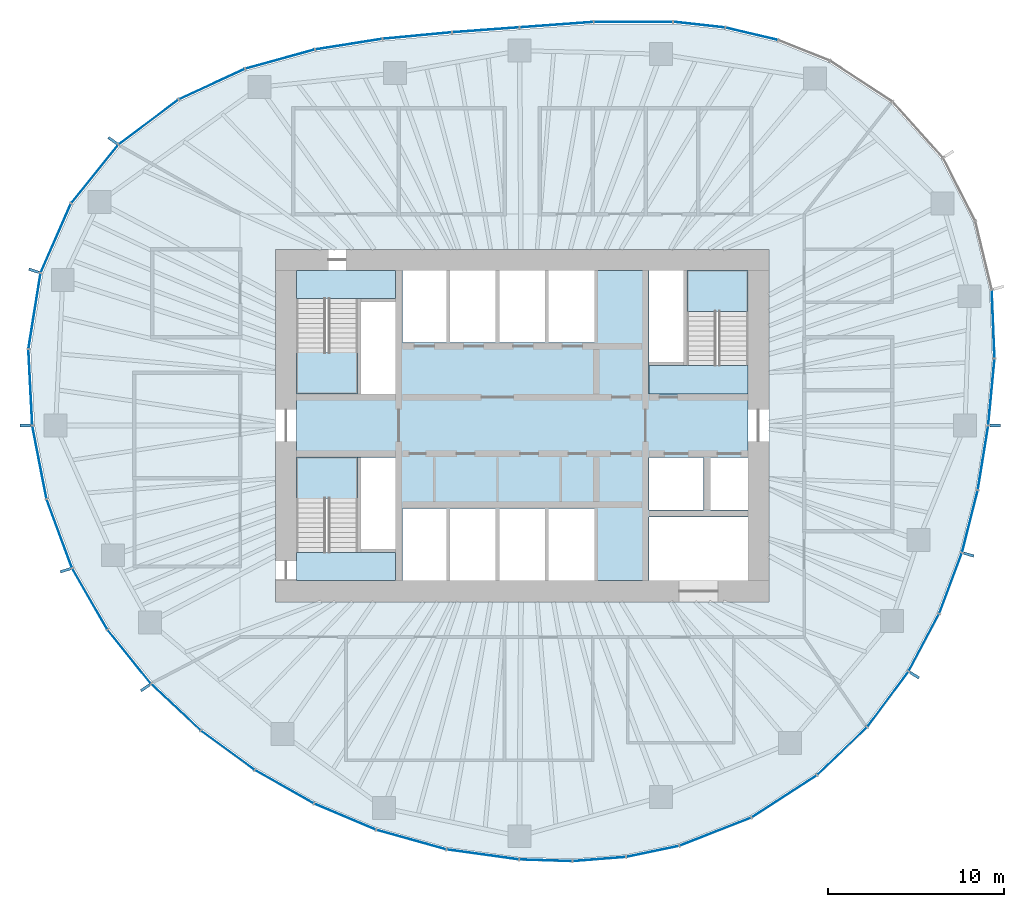
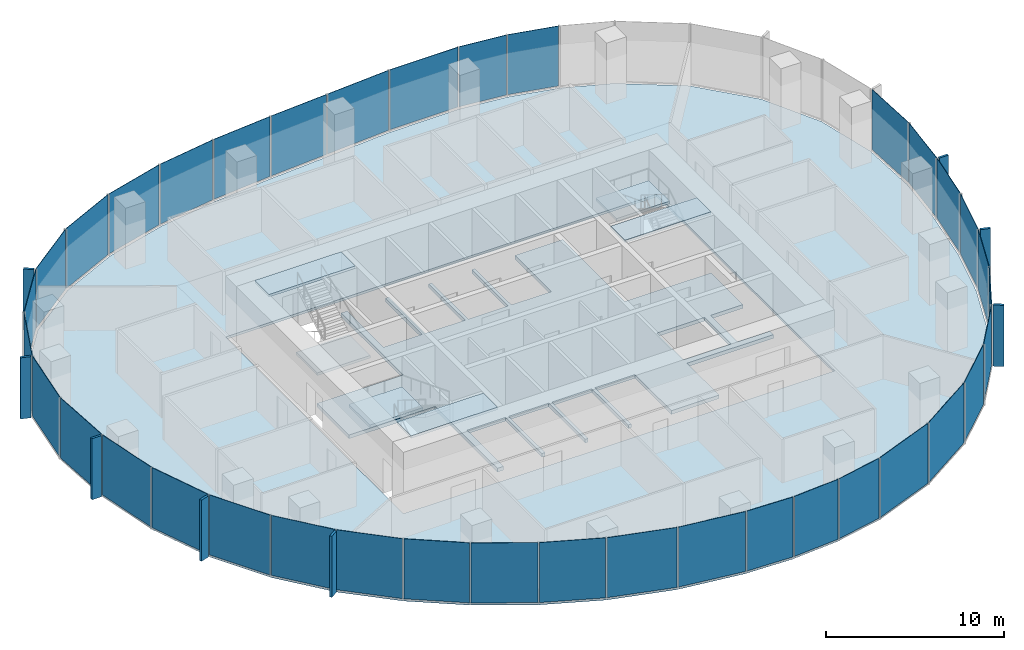
# One storey, part 7 of 11: 45 plates, 8 slabs, 21 elements without a shape of their own.
"""IFC4 building model written with IfcOpenShell, lengths in metres."""

from ifc_helpers import new_model, si_unit, direction, frame, origin, origin_2d, place, context, subcontext, project, spatial, polyline, rectangle, outline, extrude, material, layer, layer_set, type_object, element, aggregate, save


model = new_model("IFC4")

# Units and contexts
model_context = context("Model", 3, precision=1e-05, world=origin(), true_north=direction((0.0, 1.0)))
body_context = subcontext(model_context, "Body", "Model", "MODEL_VIEW")
ifc_project = project(units=[si_unit("LENGTHUNIT", "METRE"), si_unit("AREAUNIT", "SQUARE_METRE"), si_unit("VOLUMEUNIT", "CUBIC_METRE"), si_unit("PLANEANGLEUNIT", "RADIAN"), si_unit("MASSUNIT", "GRAM", prefix="KILO")], contexts=[model_context])

# Site, building, storey
site_placement = place(None, origin())
site = spatial("IfcSite", under=ifc_project, at=site_placement, CompositionType="ELEMENT")
building_placement = place(site_placement, origin())
building = spatial("IfcBuilding", under=site, at=building_placement, Name="Ghaith Harvest Tower", CompositionType="ELEMENT")
storey_placement = place(building_placement, frame((0.0, 0.0, 220.0)))
storey = spatial("IfcBuildingStorey", under=building, at=storey_placement, Name="L48", CompositionType="ELEMENT", Elevation=220.0)

# Curtain wall, plates
ifc_material_1 = material(Name="Black anodised aluminium and fritted glass", Category="aluminium")
curtain_wall_type = type_object("IfcCurtainWallType", Name="CW-H CURTAIN WALL", PredefinedType="NOTDEFINED", material=ifc_material_1)
curtain_wall_1_placement = place(storey_placement, origin())
curtain_wall_1 = element("IfcCurtainWall", 1, at=curtain_wall_1_placement, inside=storey, type_object=curtain_wall_type, Name="Curtain wall CW-H bay 01 L48", PredefinedType="NOTDEFINED")
ifc_material_2 = material(Name="Glass, dark solar-control fritted double glazed unit", Category="glass")
ifc_layer_1 = layer(ifc_material_2, 0.030029296875)
ifc_layer_set_1 = layer_set([ifc_layer_1], Name="CW-H VISION PANEL")
plate_type_1 = type_object("IfcPlateType", Name="CW-H VISION PANEL", PredefinedType="CURTAIN_PANEL", material=ifc_layer_set_1)
plate_1_placement = place(storey_placement, frame((26.624755859375, 1.89794921875, 0.079833984375), z_axis=(0.0, 0.0, 1.0), x_axis=(0.094301909937, 0.995543645343, 0.0)))
plate_1 = element("IfcPlate", 2, at=plate_1_placement, type_object=plate_type_1, Name="CW-H glass unit 1 bay 01 L48", PredefinedType="CURTAIN_PANEL", context=body_context, shape_type="SweptSolid", body=[
    extrude(rectangle(XDim=3.73291015625, YDim=0.030029296875, at=origin_2d()), origin(), (0.0, 0.0, 1.0), 4.1201171875),
])
plate_2_placement = place(storey_placement, frame((26.7255859375, 5.74853515625, 0.079833984375), z_axis=(0.0, 0.0, 1.0), x_axis=(-0.040462173218, 0.999181070947, 0.0)))
plate_2 = element("IfcPlate", 3, at=plate_2_placement, type_object=plate_type_1, Name="CW-H glass unit 2 bay 01 L48", PredefinedType="CURTAIN_PANEL", context=body_context, shape_type="SweptSolid", body=[
    extrude(rectangle(XDim=3.82861328125, YDim=0.030029296875, at=origin_2d()), origin(), (0.0, 0.0, 1.0), 4.1201171875),
])
aggregate(curtain_wall_1, [plate_1, plate_2])

curtain_wall_2_placement = place(storey_placement, origin())
curtain_wall_2 = element("IfcCurtainWall", 4, at=curtain_wall_2_placement, inside=storey, type_object=curtain_wall_type, Name="Curtain wall CW-H bay 04 L48", PredefinedType="NOTDEFINED")
plate_3_placement = place(storey_placement, frame((13.027099609375, 22.225341796875, 0.079833984375), z_axis=(0.0, 0.0, 1.0), x_axis=(-0.973266235028, 0.229679854916, 0.0)))
plate_3 = element("IfcPlate", 5, at=plate_3_placement, type_object=plate_type_1, Name="CW-H glass unit 2 bay 04 L48", PredefinedType="CURTAIN_PANEL", context=body_context, shape_type="SweptSolid", body=[
    extrude(rectangle(XDim=3.00244140625, YDim=0.030029296875, at=origin_2d()), origin(), (0.0, 0.0, 1.0), 4.1201171875),
])
plate_4_placement = place(storey_placement, frame((10.045654296875, 22.744384765625, 0.079833984375), z_axis=(0.0, 0.0, 1.0), x_axis=(-0.993865217442, 0.11059805405, 0.0)))
plate_4 = element("IfcPlate", 6, at=plate_4_placement, type_object=plate_type_1, Name="CW-H glass unit 3 bay 04 L48", PredefinedType="CURTAIN_PANEL", context=body_context, shape_type="SweptSolid", body=[
    extrude(rectangle(XDim=2.901123046875, YDim=0.030029296875, at=origin_2d()), origin(), (0.0, 0.0, 1.0), 4.1201171875),
])
aggregate(curtain_wall_2, [plate_3, plate_4])

curtain_wall_3_placement = place(storey_placement, origin())
curtain_wall_3 = element("IfcCurtainWall", 7, at=curtain_wall_3_placement, inside=storey, type_object=curtain_wall_type, Name="Curtain wall CW-H bay 05 L48", PredefinedType="NOTDEFINED")
plate_5_placement = place(storey_placement, frame((6.31201171875, 22.904296875, 0.079833984375), z_axis=(0.0, 0.0, 1.0), x_axis=(-0.999997643645, -0.002170876291, 0.0)))
plate_5 = element("IfcPlate", 8, at=plate_5_placement, type_object=plate_type_1, Name="CW-H glass unit 1 bay 05 L48", PredefinedType="CURTAIN_PANEL", context=body_context, shape_type="SweptSolid", body=[
    extrude(rectangle(XDim=4.4248046875, YDim=0.030029296875, at=origin_2d()), origin(), (0.0, 0.0, 1.0), 4.1201171875),
])
plate_6_placement = place(storey_placement, frame((1.952392578125, 22.744873046875, 0.079833984375), z_axis=(0.0, 0.0, 1.0), x_axis=(-0.997324570719, -0.073100619976, 0.0)))
plate_6 = element("IfcPlate", 9, at=plate_6_placement, type_object=plate_type_1, Name="CW-H glass unit 2 bay 05 L48", PredefinedType="CURTAIN_PANEL", context=body_context, shape_type="SweptSolid", body=[
    extrude(rectangle(XDim=4.1455078125, YDim=0.030029296875, at=origin_2d()), origin(), (0.0, 0.0, 1.0), 4.1201171875),
])
aggregate(curtain_wall_3, [plate_5, plate_6])

curtain_wall_4_placement = place(storey_placement, origin())
curtain_wall_4 = element("IfcCurtainWall", 10, at=curtain_wall_4_placement, inside=storey, type_object=curtain_wall_type, Name="Curtain wall CW-H bay 06 L48", PredefinedType="NOTDEFINED")
plate_7_placement = place(storey_placement, frame((-2.0693359375, 22.450439453125, 0.079833984375), z_axis=(0.0, 0.0, 1.0), x_axis=(-0.997334393671, -0.072966479985, 0.0)))
plate_7 = element("IfcPlate", 11, at=plate_7_placement, type_object=plate_type_1, Name="CW-H glass unit 1 bay 06 L48", PredefinedType="CURTAIN_PANEL", context=body_context, shape_type="SweptSolid", body=[
    extrude(rectangle(XDim=3.759765625, YDim=0.030029296875, at=origin_2d()), origin(), (0.0, 0.0, 1.0), 4.1201171875),
])
plate_8_placement = place(storey_placement, frame((-5.954345703125, 22.12548828125, 0.079833984375), z_axis=(0.0, 0.0, 1.0), x_axis=(-0.995631991968, -0.093364535934, 0.0)))
plate_8 = element("IfcPlate", 12, at=plate_8_placement, type_object=plate_type_1, Name="CW-H glass unit 2 bay 06 L48", PredefinedType="CURTAIN_PANEL", context=body_context, shape_type="SweptSolid", body=[
    extrude(rectangle(XDim=3.87744140625, YDim=0.030029296875, at=origin_2d()), origin(), (0.0, 0.0, 1.0), 4.1201171875),
])
aggregate(curtain_wall_4, [plate_7, plate_8])

curtain_wall_5_placement = place(storey_placement, origin())
curtain_wall_5 = element("IfcCurtainWall", 13, at=curtain_wall_5_placement, inside=storey, type_object=curtain_wall_type, Name="Curtain wall CW-H bay 07 L48", PredefinedType="NOTDEFINED")
plate_9_placement = place(storey_placement, frame((-9.83837890625, 21.638671875, 0.079833984375), z_axis=(0.0, 0.0, 1.0), x_axis=(-0.98777033338, -0.155915901993, 0.0)))
plate_9 = element("IfcPlate", 14, at=plate_9_placement, type_object=plate_type_1, Name="CW-H glass unit 1 bay 07 L48", PredefinedType="CURTAIN_PANEL", context=body_context, shape_type="SweptSolid", body=[
    extrude(rectangle(XDim=3.795166015625, YDim=0.030029296875, at=origin_2d()), origin(), (0.0, 0.0, 1.0), 4.1201171875),
])
plate_10_placement = place(storey_placement, frame((-13.736572265625, 20.78955078125, 0.079833984375), z_axis=(0.0, 0.0, 1.0), x_axis=(-0.964034113875, -0.26577853052, 0.0)))
plate_10 = element("IfcPlate", 15, at=plate_10_placement, type_object=plate_type_1, Name="CW-H glass unit 2 bay 07 L48", PredefinedType="CURTAIN_PANEL", context=body_context, shape_type="SweptSolid", body=[
    extrude(rectangle(XDim=4.03662109375, YDim=0.030029296875, at=origin_2d()), origin(), (0.0, 0.0, 1.0), 4.1201171875),
])
aggregate(curtain_wall_5, [plate_9, plate_10])

curtain_wall_6_placement = place(storey_placement, origin())
curtain_wall_6 = element("IfcCurtainWall", 16, at=curtain_wall_6_placement, inside=storey, type_object=curtain_wall_type, Name="Curtain wall CW-H bay 08 L48", PredefinedType="NOTDEFINED")
plate_11_placement = place(storey_placement, frame((-17.608154296875, 19.370849609375, 0.079833984375), z_axis=(0.0, 0.0, 1.0), x_axis=(-0.907814470414, -0.419372015408, 0.0)))
plate_11 = element("IfcPlate", 17, at=plate_11_placement, type_object=plate_type_1, Name="CW-H glass unit 1 bay 08 L48", PredefinedType="CURTAIN_PANEL", context=body_context, shape_type="SweptSolid", body=[
    extrude(rectangle(XDim=4.077392578125, YDim=0.030029296875, at=origin_2d()), origin(), (0.0, 0.0, 1.0), 4.1201171875),
])
plate_12_placement = place(storey_placement, frame((-21.20166015625, 17.219482421875, 0.079833984375), z_axis=(0.0, 0.0, 1.0), x_axis=(-0.800067053187, -0.599910585341, 0.0)))
plate_12 = element("IfcPlate", 18, at=plate_12_placement, type_object=plate_type_1, Name="CW-H glass unit 2 bay 08 L48", PredefinedType="CURTAIN_PANEL", context=body_context, shape_type="SweptSolid", body=[
    extrude(rectangle(XDim=4.18603515625, YDim=0.030029296875, at=origin_2d()), origin(), (0.0, 0.0, 1.0), 4.1201171875),
])
aggregate(curtain_wall_6, [plate_11, plate_12])

curtain_wall_7_placement = place(storey_placement, origin())
curtain_wall_7 = element("IfcCurtainWall", 19, at=curtain_wall_7_placement, inside=storey, type_object=curtain_wall_type, Name="Curtain wall CW-H bay 09 L48", PredefinedType="NOTDEFINED")
plate_13_placement = place(storey_placement, frame((-24.25390625, 14.270263671875, 0.079833984375), z_axis=(0.0, 0.0, 1.0), x_axis=(-0.627547637499, -0.778578167347, 0.0)))
plate_13 = element("IfcPlate", 20, at=plate_13_placement, type_object=plate_type_1, Name="CW-H glass unit 1 bay 09 L48", PredefinedType="CURTAIN_PANEL", context=body_context, shape_type="SweptSolid", body=[
    extrude(rectangle(XDim=4.208740234375, YDim=0.030029296875, at=origin_2d()), origin(), (0.0, 0.0, 1.0), 4.1201171875),
])
plate_14_placement = place(storey_placement, frame((-26.462646484375, 10.63037109375, 0.079833984375), z_axis=(0.0, 0.0, 1.0), x_axis=(-0.40121291108, -0.915984825192, 0.0)))
plate_14 = element("IfcPlate", 21, at=plate_14_placement, type_object=plate_type_1, Name="CW-H glass unit 2 bay 09 L48", PredefinedType="CURTAIN_PANEL", context=body_context, shape_type="SweptSolid", body=[
    extrude(rectangle(XDim=4.22216796875, YDim=0.030029296875, at=origin_2d()), origin(), (0.0, 0.0, 1.0), 4.1201171875),
])
aggregate(curtain_wall_7, [plate_13, plate_14])

curtain_wall_8_placement = place(storey_placement, origin())
curtain_wall_8 = element("IfcCurtainWall", 22, at=curtain_wall_8_placement, inside=storey, type_object=curtain_wall_type, Name="Curtain wall CW-H bay 10 L48", PredefinedType="NOTDEFINED")
plate_15_placement = place(storey_placement, frame((-27.670654296875, 6.49658203125, 0.079833984375), z_axis=(0.0, 0.0, 1.0), x_axis=(-0.157514341695, -0.987516699687, 0.0)))
plate_15 = element("IfcPlate", 23, at=plate_15_placement, type_object=plate_type_1, Name="CW-H glass unit 1 bay 10 L48", PredefinedType="CURTAIN_PANEL", context=body_context, shape_type="SweptSolid", body=[
    extrude(rectangle(XDim=4.301513671875, YDim=0.030029296875, at=origin_2d()), origin(), (0.0, 0.0, 1.0), 4.1201171875),
])
plate_16_placement = place(storey_placement, frame((-27.905517578125, 2.16650390625, 0.079833984375), z_axis=(0.0, 0.0, 1.0), x_axis=(0.050894857592, -0.998704016949, 0.0)))
plate_16 = element("IfcPlate", 24, at=plate_16_placement, type_object=plate_type_1, Name="CW-H glass unit 2 bay 10 L48", PredefinedType="CURTAIN_PANEL", context=body_context, shape_type="SweptSolid", body=[
    extrude(rectangle(XDim=4.2587890625, YDim=0.030029296875, at=origin_2d()), origin(), (0.0, 0.0, 1.0), 4.1201171875),
])
aggregate(curtain_wall_8, [plate_15, plate_16])

curtain_wall_9_placement = place(storey_placement, origin())
curtain_wall_9 = element("IfcCurtainWall", 25, at=curtain_wall_9_placement, inside=storey, type_object=curtain_wall_type, Name="Curtain wall CW-H bay 11 L48", PredefinedType="NOTDEFINED")
plate_17_placement = place(storey_placement, frame((-27.39013671875, -2.0869140625, 0.079833984375), z_axis=(0.0, 0.0, 1.0), x_axis=(0.190426809322, -0.981701395686, 0.0)))
plate_17 = element("IfcPlate", 26, at=plate_17_placement, type_object=plate_type_1, Name="CW-H glass unit 1 bay 11 L48", PredefinedType="CURTAIN_PANEL", context=body_context, shape_type="SweptSolid", body=[
    extrude(rectangle(XDim=4.171630859375, YDim=0.030029296875, at=origin_2d()), origin(), (0.0, 0.0, 1.0), 4.1201171875),
])
plate_18_placement = place(storey_placement, frame((-26.261962890625, -6.1337890625, 0.079833984375), z_axis=(0.0, 0.0, 1.0), x_axis=(0.346303431688, -0.938122557666, 0.0)))
plate_18 = element("IfcPlate", 27, at=plate_18_placement, type_object=plate_type_1, Name="CW-H glass unit 2 bay 11 L48", PredefinedType="CURTAIN_PANEL", context=body_context, shape_type="SweptSolid", body=[
    extrude(rectangle(XDim=4.098388671875, YDim=0.030029296875, at=origin_2d()), origin(), (0.0, 0.0, 1.0), 4.1201171875),
])
aggregate(curtain_wall_9, [plate_17, plate_18])

curtain_wall_10_placement = place(storey_placement, origin())
curtain_wall_10 = element("IfcCurtainWall", 28, at=curtain_wall_10_placement, inside=storey, type_object=curtain_wall_type, Name="Curtain wall CW-H bay 12 L48", PredefinedType="NOTDEFINED")
plate_19_placement = place(storey_placement, frame((-24.535888671875, -9.838623046875, 0.079833984375), z_axis=(0.0, 0.0, 1.0), x_axis=(0.49818018945, -0.867073525625, 0.0)))
plate_19 = element("IfcPlate", 29, at=plate_19_placement, type_object=plate_type_1, Name="CW-H glass unit 1 bay 12 L48", PredefinedType="CURTAIN_PANEL", context=body_context, shape_type="SweptSolid", body=[
    extrude(rectangle(XDim=3.945068359375, YDim=0.030029296875, at=origin_2d()), origin(), (0.0, 0.0, 1.0), 4.1201171875),
])
plate_20_placement = place(storey_placement, frame((-22.29736328125, -13.119140625, 0.079833984375), z_axis=(0.0, 0.0, 1.0), x_axis=(0.626957061695, -0.779053812513, 0.0)))
plate_20 = element("IfcPlate", 30, at=plate_20_placement, type_object=plate_type_1, Name="CW-H glass unit 2 bay 12 L48", PredefinedType="CURTAIN_PANEL", context=body_context, shape_type="SweptSolid", body=[
    extrude(rectangle(XDim=3.8623046875, YDim=0.030029296875, at=origin_2d()), origin(), (0.0, 0.0, 1.0), 4.1201171875),
])
aggregate(curtain_wall_10, [plate_19, plate_20])

curtain_wall_11_placement = place(storey_placement, origin())
curtain_wall_11 = element("IfcCurtainWall", 31, at=curtain_wall_11_placement, inside=storey, type_object=curtain_wall_type, Name="Curtain wall CW-H bay 13 L48", PredefinedType="NOTDEFINED")
plate_21_placement = place(storey_placement, frame((-19.649658203125, -15.98046875, 0.079833984375), z_axis=(0.0, 0.0, 1.0), x_axis=(0.729016864325, -0.684495735217, 0.0)))
plate_21 = element("IfcPlate", 32, at=plate_21_placement, type_object=plate_type_1, Name="CW-H glass unit 1 bay 13 L48", PredefinedType="CURTAIN_PANEL", context=body_context, shape_type="SweptSolid", body=[
    extrude(rectangle(XDim=3.793212890625, YDim=0.030029296875, at=origin_2d()), origin(), (0.0, 0.0, 1.0), 4.1201171875),
])
plate_22_placement = place(storey_placement, frame((-16.707763671875, -18.42431640625, 0.079833984375), z_axis=(0.0, 0.0, 1.0), x_axis=(0.80736351134, -0.590054370848, 0.0)))
plate_22 = element("IfcPlate", 33, at=plate_22_placement, type_object=plate_type_1, Name="CW-H glass unit 2 bay 13 L48", PredefinedType="CURTAIN_PANEL", context=body_context, shape_type="SweptSolid", body=[
    extrude(rectangle(XDim=3.710693359375, YDim=0.030029296875, at=origin_2d()), origin(), (0.0, 0.0, 1.0), 4.1201171875),
])
aggregate(curtain_wall_11, [plate_21, plate_22])

curtain_wall_12_placement = place(storey_placement, origin())
curtain_wall_12 = element("IfcCurtainWall", 34, at=curtain_wall_12_placement, inside=storey, type_object=curtain_wall_type, Name="Curtain wall CW-H bay 14 L48", PredefinedType="NOTDEFINED")
plate_23_placement = place(storey_placement, frame((-13.496337890625, -20.496826171875, 0.079833984375), z_axis=(0.0, 0.0, 1.0), x_axis=(0.869715300233, -0.493553742303, 0.0)))
plate_23 = element("IfcPlate", 35, at=plate_23_placement, type_object=plate_type_1, Name="CW-H glass unit 1 bay 14 L48", PredefinedType="CURTAIN_PANEL", context=body_context, shape_type="SweptSolid", body=[
    extrude(rectangle(XDim=3.785888671875, YDim=0.030029296875, at=origin_2d()), origin(), (0.0, 0.0, 1.0), 4.1201171875),
])
plate_24_placement = place(storey_placement, frame((-10.050537109375, -22.1962890625, 0.079833984375), z_axis=(0.0, 0.0, 1.0), x_axis=(0.921181516072, -0.389133157734, 0.0)))
plate_24 = element("IfcPlate", 36, at=plate_24_placement, type_object=plate_type_1, Name="CW-H glass unit 2 bay 14 L48", PredefinedType="CURTAIN_PANEL", context=body_context, shape_type="SweptSolid", body=[
    extrude(rectangle(XDim=3.751220703125, YDim=0.030029296875, at=origin_2d()), origin(), (0.0, 0.0, 1.0), 4.1201171875),
])
aggregate(curtain_wall_12, [plate_23, plate_24])

curtain_wall_13_placement = place(storey_placement, origin())
curtain_wall_13 = element("IfcCurtainWall", 37, at=curtain_wall_13_placement, inside=storey, type_object=curtain_wall_type, Name="Curtain wall CW-H bay 15 L48", PredefinedType="NOTDEFINED")
plate_25_placement = place(storey_placement, frame((-6.291015625, -23.49853515625, 0.079833984375), z_axis=(0.0, 0.0, 1.0), x_axis=(0.963162861349, -0.268918765647, 0.0)))
plate_25 = element("IfcPlate", 38, at=plate_25_placement, type_object=plate_type_1, Name="CW-H glass unit 1 bay 15 L48", PredefinedType="CURTAIN_PANEL", context=body_context, shape_type="SweptSolid", body=[
    extrude(rectangle(XDim=4.062744140625, YDim=0.030029296875, at=origin_2d()), origin(), (0.0, 0.0, 1.0), 4.1201171875),
])
plate_26_placement = place(storey_placement, frame((-2.232177734375, -24.34033203125, 0.079833984375), z_axis=(0.0, 0.0, 1.0), x_axis=(0.990612268407, -0.136701622823, 0.0)))
plate_26 = element("IfcPlate", 39, at=plate_26_placement, type_object=plate_type_1, Name="CW-H glass unit 2 bay 15 L48", PredefinedType="CURTAIN_PANEL", context=body_context, shape_type="SweptSolid", body=[
    extrude(rectangle(XDim=4.08642578125, YDim=0.030029296875, at=origin_2d()), origin(), (0.0, 0.0, 1.0), 4.1201171875),
])
aggregate(curtain_wall_13, [plate_25, plate_26])

curtain_wall_14_placement = place(storey_placement, origin())
curtain_wall_14 = element("IfcCurtainWall", 40, at=curtain_wall_14_placement, inside=storey, type_object=curtain_wall_type, Name="Curtain wall CW-H bay 16 L48", PredefinedType="NOTDEFINED")
plate_27_placement = place(storey_placement, frame((1.339599609375, -24.67333984375, 0.079833984375), z_axis=(0.0, 0.0, 1.0), x_axis=(0.99949125523, -0.031894054587, 0.0)))
plate_27 = element("IfcPlate", 41, at=plate_27_placement, type_object=plate_type_1, Name="CW-H glass unit 1 bay 16 L48", PredefinedType="CURTAIN_PANEL", context=body_context, shape_type="SweptSolid", body=[
    extrude(rectangle(XDim=2.937744140625, YDim=0.030029296875, at=origin_2d()), origin(), (0.0, 0.0, 1.0), 4.1201171875),
])
plate_28_placement = place(storey_placement, frame((4.37060546875, -24.60205078125, 0.079833984375), z_axis=(0.0, 0.0, 1.0), x_axis=(0.996945418782, 0.078101421048, 0.0)))
plate_28 = element("IfcPlate", 42, at=plate_28_placement, type_object=plate_type_1, Name="CW-H glass unit 2 bay 16 L48", PredefinedType="CURTAIN_PANEL", context=body_context, shape_type="SweptSolid", body=[
    extrude(rectangle(XDim=2.974853515625, YDim=0.030029296875, at=origin_2d()), origin(), (0.0, 0.0, 1.0), 4.1201171875),
])
plate_29_placement = place(storey_placement, frame((7.40478515625, -24.16650390625, 0.079833984375), z_axis=(0.0, 0.0, 1.0), x_axis=(0.978788872874, 0.204871526422, 0.0)))
plate_29 = element("IfcPlate", 43, at=plate_29_placement, type_object=plate_type_1, Name="CW-H glass unit 3 bay 16 L48", PredefinedType="CURTAIN_PANEL", context=body_context, shape_type="SweptSolid", body=[
    extrude(rectangle(XDim=3.00830078125, YDim=0.030029296875, at=origin_2d()), origin(), (0.0, 0.0, 1.0), 4.1201171875),
])
aggregate(curtain_wall_14, [plate_27, plate_28, plate_29])

curtain_wall_15_placement = place(storey_placement, origin())
curtain_wall_15 = element("IfcCurtainWall", 44, at=curtain_wall_15_placement, inside=storey, type_object=curtain_wall_type, Name="Curtain wall CW-H bay 17 L48", PredefinedType="NOTDEFINED")
plate_30_placement = place(storey_placement, frame((10.963134765625, -23.048583984375, 0.079833984375), z_axis=(0.0, 0.0, 1.0), x_axis=(0.931161161765, 0.364607858966, 0.0)))
plate_30 = element("IfcPlate", 45, at=plate_30_placement, type_object=plate_type_1, Name="CW-H glass unit 1 bay 17 L48", PredefinedType="CURTAIN_PANEL", context=body_context, shape_type="SweptSolid", body=[
    extrude(rectangle(XDim=4.316650390625, YDim=0.030029296875, at=origin_2d()), origin(), (0.0, 0.0, 1.0), 4.1201171875),
])
plate_31_placement = place(storey_placement, frame((14.869384765625, -21.042724609375, 0.079833984375), z_axis=(0.0, 0.0, 1.0), x_axis=(0.839305300126, 0.543660384045, 0.0)))
plate_31 = element("IfcPlate", 46, at=plate_31_placement, type_object=plate_type_1, Name="CW-H glass unit 2 bay 17 L48", PredefinedType="CURTAIN_PANEL", context=body_context, shape_type="SweptSolid", body=[
    extrude(rectangle(XDim=4.35107421875, YDim=0.030029296875, at=origin_2d()), origin(), (0.0, 0.0, 1.0), 4.1201171875),
])
aggregate(curtain_wall_15, [plate_30, plate_31])

curtain_wall_16_placement = place(storey_placement, origin())
curtain_wall_16 = element("IfcCurtainWall", 47, at=curtain_wall_16_placement, inside=storey, type_object=curtain_wall_type, Name="Curtain wall CW-H bay 18 L48", PredefinedType="NOTDEFINED")
plate_32_placement = place(storey_placement, frame((18.151611328125, -18.47705078125, 0.079833984375), z_axis=(0.0, 0.0, 1.0), x_axis=(0.722532585058, 0.691336866896, 0.0)))
plate_32 = element("IfcPlate", 48, at=plate_32_placement, type_object=plate_type_1, Name="CW-H glass unit 1 bay 18 L48", PredefinedType="CURTAIN_PANEL", context=body_context, shape_type="SweptSolid", body=[
    extrude(rectangle(XDim=3.85791015625, YDim=0.030029296875, at=origin_2d()), origin(), (0.0, 0.0, 1.0), 4.1201171875),
])
plate_33_placement = place(storey_placement, frame((20.74853515625, -15.53369140625, 0.079833984375), z_axis=(0.0, 0.0, 1.0), x_axis=(0.596018639888, 0.802970597784, 0.0)))
plate_33 = element("IfcPlate", 49, at=plate_33_placement, type_object=plate_type_1, Name="CW-H glass unit 2 bay 18 L48", PredefinedType="CURTAIN_PANEL", context=body_context, shape_type="SweptSolid", body=[
    extrude(rectangle(XDim=3.8603515625, YDim=0.030029296875, at=origin_2d()), origin(), (0.0, 0.0, 1.0), 4.1201171875),
])
aggregate(curtain_wall_16, [plate_32, plate_33])

curtain_wall_17_placement = place(storey_placement, origin())
curtain_wall_17 = element("IfcCurtainWall", 50, at=curtain_wall_17_placement, inside=storey, type_object=curtain_wall_type, Name="Curtain wall CW-H bay 19 L48", PredefinedType="NOTDEFINED")
plate_34_placement = place(storey_placement, frame((22.79052734375, -12.316162109375, 0.079833984375), z_axis=(0.0, 0.0, 1.0), x_axis=(0.46864379564, 0.883387226989, 0.0)))
plate_34 = element("IfcPlate", 51, at=plate_34_placement, type_object=plate_type_1, Name="CW-H glass unit 1 bay 19 L48", PredefinedType="CURTAIN_PANEL", context=body_context, shape_type="SweptSolid", body=[
    extrude(rectangle(XDim=3.623291015625, YDim=0.030029296875, at=origin_2d()), origin(), (0.0, 0.0, 1.0), 4.1201171875),
])
plate_35_placement = place(storey_placement, frame((24.30712890625, -8.946533203125, 0.079833984375), z_axis=(0.0, 0.0, 1.0), x_axis=(0.350480749824, 0.936569935457, 0.0)))
plate_35 = element("IfcPlate", 52, at=plate_35_placement, type_object=plate_type_1, Name="CW-H glass unit 2 bay 19 L48", PredefinedType="CURTAIN_PANEL", context=body_context, shape_type="SweptSolid", body=[
    extrude(rectangle(XDim=3.62255859375, YDim=0.030029296875, at=origin_2d()), origin(), (0.0, 0.0, 1.0), 4.1201171875),
])
aggregate(curtain_wall_17, [plate_34, plate_35])

curtain_wall_18_placement = place(storey_placement, origin())
curtain_wall_18 = element("IfcCurtainWall", 53, at=curtain_wall_18_placement, inside=storey, type_object=curtain_wall_type, Name="Curtain wall CW-H bay 20 L48", PredefinedType="NOTDEFINED")
plate_36_placement = place(storey_placement, frame((25.404541015625, -5.43701171875, 0.079833984375), z_axis=(0.0, 0.0, 1.0), x_axis=(0.244925945134, 0.969541789404, 0.0)))
plate_36 = element("IfcPlate", 54, at=plate_36_placement, type_object=plate_type_1, Name="CW-H glass unit 1 bay 20 L48", PredefinedType="CURTAIN_PANEL", context=body_context, shape_type="SweptSolid", body=[
    extrude(rectangle(XDim=3.583251953125, YDim=0.030029296875, at=origin_2d()), origin(), (0.0, 0.0, 1.0), 4.1201171875),
])
plate_37_placement = place(storey_placement, frame((26.14892578125, -1.83056640625, 0.079833984375), z_axis=(0.0, 0.0, 1.0), x_axis=(0.159600748097, 0.987181645497, 0.0)))
plate_37 = element("IfcPlate", 55, at=plate_37_placement, type_object=plate_type_1, Name="CW-H glass unit 2 bay 20 L48", PredefinedType="CURTAIN_PANEL", context=body_context, shape_type="SweptSolid", body=[
    extrude(rectangle(XDim=3.628662109375, YDim=0.030029296875, at=origin_2d()), origin(), (0.0, 0.0, 1.0), 4.1201171875),
])
aggregate(curtain_wall_18, [plate_36, plate_37])

# Slabs
ifc_material_3 = material(Name="Concrete C40/50", Category="concrete")
ifc_layer_2 = layer(ifc_material_3, 0.169921875)
ifc_layer_set_2 = layer_set([ifc_layer_2], Name="FLOOR SLAB 170")
slab_type_1 = type_object("IfcSlabType", Name="FLOOR SLAB 170", PredefinedType="FLOOR", material=ifc_layer_set_2)
slab_1_placement = place(storey_placement, frame((0.0, 0.0, -0.169921875)))
element("IfcSlab", 56, at=slab_1_placement, inside=storey, type_object=slab_type_1, Name="Floor slab L48", PredefinedType="FLOOR", context=body_context, shape_type="SweptSolid", body=[
    extrude(outline(polyline([(26.324951171875, 0.0), (26.685791015625, 3.779052734375), (26.531005859375, 7.668212890625), (25.597900390625, 11.55615234375), (23.77294921875, 15.12939453125), (20.923095703125, 18.295166015625), (17.382080078125, 20.612548828125), (14.460693359375, 21.771484375), (11.47265625, 22.47265625), (8.522216796875, 22.796875), (4.03857421875, 22.78125), (-0.15380859375, 22.470458984375), (-3.963134765625, 22.192138671875), (-7.8837890625, 21.827880859375), (-11.694580078125, 21.2314453125), (-15.6474609375, 20.147705078125), (-19.408203125, 18.41650390625), (-22.809814453125, 15.87109375), (-25.491943359375, 12.547607421875), (-27.211181640625, 8.623779296875), (-27.897216796875, 4.314697265625), (-27.675048828125, 0.0), (-26.86669921875, -4.155517578125), (-25.424072265625, -8.057373046875), (-23.425537109375, -11.530517578125), (-20.963134765625, -14.586181640625), (-18.15087890625, -17.223388671875), (-15.10400390625, -19.447998046875), (-11.75732421875, -21.345703125), (-8.2451171875, -22.82861328125), (-4.27490234375, -23.9375), (-0.167724609375, -24.505126953125), (2.833984375, -24.602294921875), (5.865234375, -24.3662109375), (8.8740234375, -23.73779296875), (12.949462890625, -22.1435546875), (16.651611328125, -19.746337890625), (19.48388671875, -17.036865234375), (21.821533203125, -13.887451171875), (23.548828125, -10.631103515625), (24.840576171875, -7.179443359375), (25.734375, -3.644287109375), (26.324951171875, 0.0)]), holes=[polyline([(-14.0, -10.0), (14.0, -10.0), (14.0, 10.0), (-14.0, 10.0), (-14.0, -10.0)])]), origin(), (0.0, 0.0, 1.0), 0.169921875),
])
ifc_material_4 = material(Name="Concrete C40/50", Category="concrete")
ifc_layer_3 = layer(ifc_material_4, 0.25)
ifc_layer_set_3 = layer_set([ifc_layer_3], Name="FLOOR SLAB 250")
slab_type_2 = type_object("IfcSlabType", Name="FLOOR SLAB 250", PredefinedType="FLOOR", material=ifc_layer_set_3)
slab_2_placement = place(storey_placement, frame((0.0, 0.0, -0.25)))
element("IfcSlab", 57, at=slab_2_placement, inside=storey, type_object=slab_type_2, Name="Core slab L48", PredefinedType="FLOOR", context=body_context, shape_type="SweptSolid", body=[
    extrude(outline(polyline([(-12.800048828125, 1.800048828125), (-7.199951171875, 1.800048828125), (-7.199951171875, 8.800048828125), (-6.800048828125, 8.800048828125), (-6.800048828125, 4.699951171875), (-4.300048828125, 4.699951171875), (-4.300048828125, 8.800048828125), (-4.10009765625, 8.800048828125), (-4.10009765625, 4.699951171875), (-1.5, 4.699951171875), (-1.5, 8.800048828125), (-1.300048828125, 8.800048828125), (-1.300048828125, 4.699951171875), (1.300048828125, 4.699951171875), (1.300048828125, 8.800048828125), (1.5, 8.800048828125), (1.5, 4.699951171875), (4.10009765625, 4.699951171875), (4.10009765625, 8.800048828125), (7.199951171875, 8.800048828125), (7.199951171875, 1.800048828125), (12.800048828125, 1.800048828125), (12.800048828125, -1.800048828125), (10.699951171875, -1.800048828125), (10.699951171875, -4.800048828125), (12.800048828125, -4.800048828125), (12.800048828125, -5.199951171875), (7.199951171875, -5.199951171875), (7.199951171875, -8.800048828125), (4.10009765625, -8.800048828125), (4.10009765625, -4.699951171875), (1.5, -4.699951171875), (1.5, -8.800048828125), (1.300048828125, -8.800048828125), (1.300048828125, -4.699951171875), (-1.300048828125, -4.699951171875), (-1.300048828125, -8.800048828125), (-1.5, -8.800048828125), (-1.5, -4.699951171875), (-4.10009765625, -4.699951171875), (-4.10009765625, -8.800048828125), (-4.300048828125, -8.800048828125), (-4.300048828125, -4.699951171875), (-6.800048828125, -4.699951171875), (-6.800048828125, -8.800048828125), (-7.199951171875, -8.800048828125), (-7.199951171875, -1.800048828125), (-12.800048828125, -1.800048828125), (-12.800048828125, 1.800048828125)]), holes=[polyline([(10.300048828125, -4.800048828125), (10.300048828125, -1.800048828125), (7.199951171875, -1.800048828125), (7.199951171875, -4.800048828125), (10.300048828125, -4.800048828125)])]), origin(), (0.0, 0.0, 1.0), 0.25),
])

# Stair, slabs
ifc_material_5 = material(Name="Concrete C40/50, precast", Category="concrete")
stair_type = type_object("IfcStairType", Name="CORE STAIR 24R", PredefinedType="HALF_TURN_STAIR", material=ifc_material_5)
stair_1_placement = place(storey_placement, origin())
stair_1 = element("IfcStair", 58, at=stair_1_placement, inside=storey, type_object=stair_type, Name="Stair ST1 L48", PredefinedType="HALF_TURN_STAIR")
ifc_material_6 = material(Name="Concrete C40/50, precast", Category="concrete")
ifc_layer_4 = layer(ifc_material_6, 0.179931640625)
ifc_layer_set_4 = layer_set([ifc_layer_4], Name="STAIR LANDING 180")
slab_type_3 = type_object("IfcSlabType", Name="STAIR LANDING 180", PredefinedType="LANDING", material=ifc_layer_set_4)
slab_3_placement = place(storey_placement, frame((0.0, 0.0, 1.919921875)))
slab_3 = element("IfcSlab", 59, at=slab_3_placement, type_object=slab_type_3, Name="ST1 landing 1", PredefinedType="LANDING", context=body_context, shape_type="SweptSolid", body=[
    extrude(outline(polyline([(-12.800048828125, 4.139892578125), (-12.800048828125, 1.77490234375), (-9.35009765625, 1.77490234375), (-9.35009765625, 4.139892578125), (-12.800048828125, 4.139892578125)])), origin(), (0.0, 0.0, 1.0), 0.18017578125),
])
slab_4_placement = place(storey_placement, frame((0.0, 0.0, 4.02001953125)))
slab_4 = element("IfcSlab", 60, at=slab_4_placement, type_object=slab_type_3, Name="ST1 landing 2", PredefinedType="LANDING", context=body_context, shape_type="SweptSolid", body=[
    extrude(outline(polyline([(-12.800048828125, 8.800048828125), (-12.800048828125, 7.199951171875), (-7.199951171875, 7.199951171875), (-7.199951171875, 8.800048828125), (-12.800048828125, 8.800048828125)])), origin(), (0.0, 0.0, 1.0), 0.179931640625),
])
aggregate(stair_1, [slab_3, slab_4])

stair_2_placement = place(storey_placement, origin())
stair_2 = element("IfcStair", 61, at=stair_2_placement, inside=storey, type_object=stair_type, Name="Stair ST3 L48", PredefinedType="HALF_TURN_STAIR")
slab_5_placement = place(storey_placement, frame((0.0, 0.0, 1.919921875)))
slab_5 = element("IfcSlab", 62, at=slab_5_placement, type_object=slab_type_3, Name="ST3 landing 1", PredefinedType="LANDING", context=body_context, shape_type="SweptSolid", body=[
    extrude(outline(polyline([(-12.800048828125, -4.139892578125), (-12.800048828125, -1.77490234375), (-9.35009765625, -1.77490234375), (-9.35009765625, -4.139892578125), (-12.800048828125, -4.139892578125)])), origin(), (0.0, 0.0, 1.0), 0.18017578125),
])
slab_6_placement = place(storey_placement, frame((0.0, 0.0, 4.02001953125)))
slab_6 = element("IfcSlab", 63, at=slab_6_placement, type_object=slab_type_3, Name="ST3 landing 2", PredefinedType="LANDING", context=body_context, shape_type="SweptSolid", body=[
    extrude(outline(polyline([(-12.800048828125, -8.800048828125), (-12.800048828125, -7.199951171875), (-7.199951171875, -7.199951171875), (-7.199951171875, -8.800048828125), (-12.800048828125, -8.800048828125)])), origin(), (0.0, 0.0, 1.0), 0.179931640625),
])
aggregate(stair_2, [slab_5, slab_6])

stair_3_placement = place(storey_placement, origin())
stair_3 = element("IfcStair", 64, at=stair_3_placement, inside=storey, type_object=stair_type, Name="Stair ST2 L48", PredefinedType="HALF_TURN_STAIR")
slab_7_placement = place(storey_placement, frame((0.0, 0.0, 1.919921875)))
slab_7 = element("IfcSlab", 65, at=slab_7_placement, type_object=slab_type_3, Name="ST2 landing 1", PredefinedType="LANDING", context=body_context, shape_type="SweptSolid", body=[
    extrude(outline(polyline([(12.800048828125, 6.4599609375), (12.800048828125, 8.800048828125), (9.35009765625, 8.800048828125), (9.35009765625, 6.4599609375), (12.800048828125, 6.4599609375)])), origin(), (0.0, 0.0, 1.0), 0.18017578125),
])
slab_8_placement = place(storey_placement, frame((0.0, 0.0, 4.02001953125)))
slab_8 = element("IfcSlab", 66, at=slab_8_placement, type_object=slab_type_3, Name="ST2 landing 2", PredefinedType="LANDING", context=body_context, shape_type="SweptSolid", body=[
    extrude(outline(polyline([(12.800048828125, 1.800048828125), (12.800048828125, 3.39990234375), (7.199951171875, 3.39990234375), (7.199951171875, 1.800048828125), (12.800048828125, 1.800048828125)])), origin(), (0.0, 0.0, 1.0), 0.179931640625),
])
aggregate(stair_3, [slab_7, slab_8])

# Plates
ifc_material_7 = material(Name="Glassfibre-reinforced concrete", Category="concrete")
ifc_layer_5 = layer(ifc_material_7, 0.14990234375)
ifc_layer_set_5 = layer_set([ifc_layer_5], Name="SUN-BREAKER FIN 600x150")
plate_type_2 = type_object("IfcPlateType", Name="SUN-BREAKER FIN 600x150", PredefinedType="USERDEFINED", material=ifc_layer_set_5)
for number, where, z_axis, x_axis, name in (
    (67, (26.844970703125, 0.0, 0.0), (0.0, 0.0, 1.0), (1.0, 0.0, 0.0), "Sun-breaker fin CW-H 1 bay 01 L48"),
    (68, (-23.236572265625, 16.168212890625, 0.0), (0.0, 0.0, 1.0), (-0.820845486523, 0.571150319316, 0.0), "Sun-breaker fin CW-H 1 bay 09 L48"),
    (69, (-27.70703125, 8.78076171875, 0.0), (0.0, 0.0, 1.0), (-0.953273219358, 0.302109531884, 0.0), "Sun-breaker fin CW-H 1 bay 10 L48"),
    (70, (-28.195068359375, 0.0, 0.0), (0.0, 0.0, 1.0), (-1.0, -4.19e-10, 0.0), "Sun-breaker fin CW-H 1 bay 11 L48"),
    (71, (-25.919677734375, -8.21435546875, 0.0), (0.0, 0.0, 1.0), (-0.953273219416, -0.302109531701, 0.0), "Sun-breaker fin CW-H 1 bay 12 L48"),
    (72, (-21.389892578125, -14.88330078125, 0.0), (0.0, 0.0, 1.0), (-0.820845486622, -0.571150319173, 0.0), "Sun-breaker fin CW-H 1 bay 13 L48"),
    (73, (22.26025390625, -14.16650390625, 0.0), (0.0, 0.0, 1.0), (0.84364397137, -0.536903016913, 0.0), "Sun-breaker fin CW-H 1 bay 19 L48"),
    (74, (25.340087890625, -7.32373046875, 0.0), (0.0, 0.0, 1.0), (0.960680349932, -0.277656739976, 0.0), "Sun-breaker fin CW-H 1 bay 20 L48"),
):
    element("IfcPlate", number, at=place(storey_placement, frame(where, z_axis=z_axis, x_axis=x_axis)), inside=storey, type_object=plate_type_2, Name=name, ObjectType="SUN-BREAKER FIN", PredefinedType="USERDEFINED", context=body_context, shape_type="SweptSolid", body=[
        extrude(rectangle(XDim=0.60009765625, YDim=0.14990234375, at=origin_2d()), origin(), (0.0, 0.0, 1.0), 4.199951171875),
    ])

save(model, "model.ifc")
